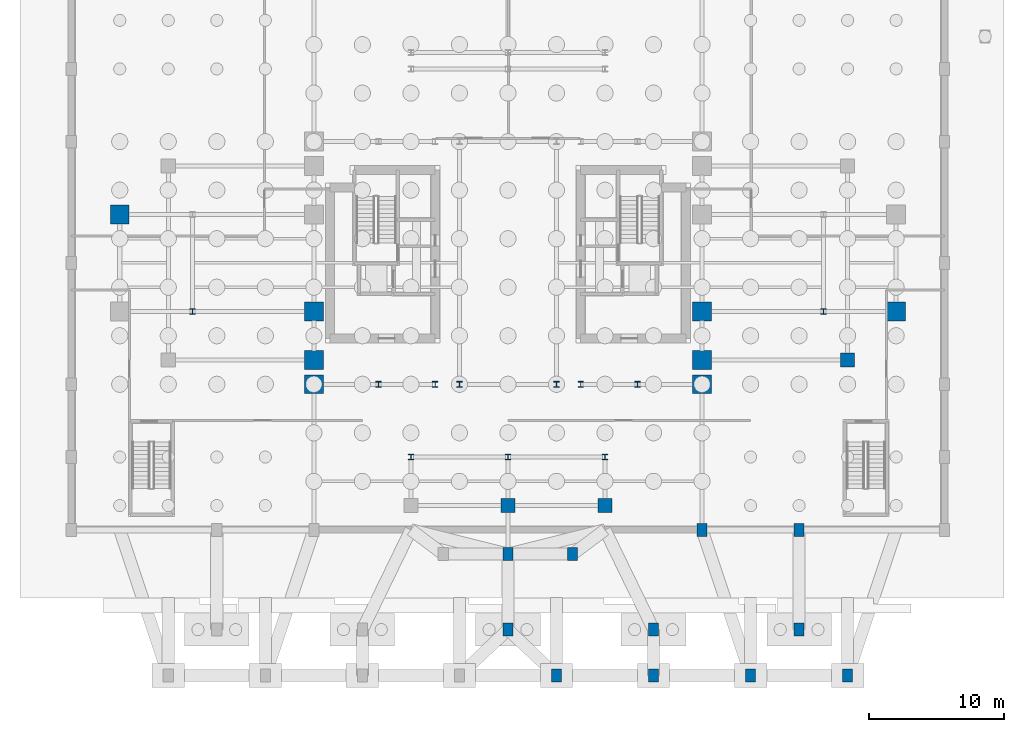
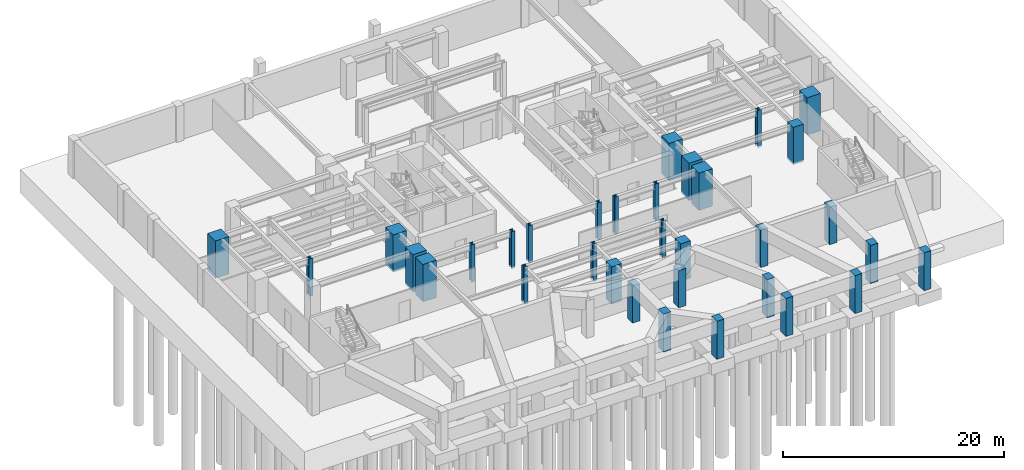
# One storey, part 3 of 13: 33 columns.
"""IFC4 building model written with IfcOpenShell, lengths in metres."""

from ifc_helpers import new_model, si_unit, direction, frame, origin, origin_2d, place, context, subcontext, project, spatial, rectangle, i_section, extrude, source, transform, mapped, material, material_profile, profile_set, type_object, element, save


model = new_model("IFC4")

# Units and contexts
model_context = context("Model", 3, precision=1e-05, world=origin(), true_north=direction((0.0, 1.0)))
body_context = subcontext(model_context, "Body", "Model", "MODEL_VIEW")
ifc_project = project(units=[si_unit("LENGTHUNIT", "METRE"), si_unit("AREAUNIT", "SQUARE_METRE"), si_unit("VOLUMEUNIT", "CUBIC_METRE"), si_unit("PLANEANGLEUNIT", "RADIAN"), si_unit("MASSUNIT", "GRAM", prefix="KILO")], contexts=[model_context])

# Site, building, storey
site_placement = place(None, origin())
site = spatial("IfcSite", under=ifc_project, at=site_placement, CompositionType="ELEMENT")
building_placement = place(site_placement, origin())
building = spatial("IfcBuilding", under=site, at=building_placement, Name="Keilestroom Media Tower", CompositionType="ELEMENT")
storey_placement = place(building_placement, frame((0.0, 0.0, -8.39990234375)))
storey = spatial("IfcBuildingStorey", under=building, at=storey_placement, Name="B2", CompositionType="ELEMENT", Elevation=-8.39990234375)

# Columns
ifc_material_1 = material(Name="Precast concrete C40/50", Category="concrete")
ifc_material_profile_1 = material_profile(ifc_material_1, rectangle(XDim=0.75, YDim=0.949951171875, at=origin_2d()), Name="PC 950x750")
ifc_profile_set_1 = profile_set([ifc_material_profile_1], Name="Precast concrete C40/50")
column_type_1 = type_object("IfcColumnType", Name="Structural-Column-PC-950x750", PredefinedType="COLUMN", material=ifc_profile_set_1)
shared_shape_1 = source(origin(), body_context, "Body", "SweptSolid", [
    extrude(rectangle(XDim=0.75, YDim=0.949951171875, at=origin_2d()), origin(), (0.0, 0.0, 1.0), 4.1201171875),
])
for number, where, z_axis, x_axis, name in (
    (1, (0.0, -21.60009765625, -0.2001953125), (0.0, 0.0, 1.0), (1.0, 0.0, 0.0), "B2 Column PC-1 (+0.0,-21.6)"),
    (2, (4.800048828125, -21.60009765625, -0.2001953125), (0.0, 0.0, 1.0), (1.0, 0.0, 0.0), "B2 Column PC-1 (+4.8,-21.6)"),
    (3, (14.39990234375, -19.800048828125, -0.2001953125), (0.0, 0.0, 1.0), (1.0, 0.0, 0.0), "B2 Column PC-1 (+14.4,-19.8)"),
    (4, (21.60009765625, -19.800048828125, -0.2001953125), (0.0, 0.0, 1.0), (1.0, 0.0, 0.0), "B2 Column PC-1 (+21.6,-19.8)"),
):
    element("IfcColumn", number, at=place(storey_placement, frame(where, z_axis=z_axis, x_axis=x_axis)), inside=storey, type_object=column_type_1, Name=name, PredefinedType="COLUMN", context=body_context, shape_type="MappedRepresentation", body=[
        mapped(shared_shape_1, transform((0.0, 0.0, 0.0), x_axis=(1.0, 0.0, 0.0), y_axis=(0.0, 1.0, 0.0), z_axis=(0.0, 0.0, 1.0), scale=1.0)),
    ])
ifc_material_2 = material(Name="Concrete C70/85", Category="concrete")
ifc_material_profile_2 = material_profile(ifc_material_2, rectangle(XDim=1.39990234375, YDim=1.39990234375, at=origin_2d()), Name="RC 1400x1400")
ifc_profile_set_2 = profile_set([ifc_material_profile_2], Name="Concrete C70/85")
column_type_2 = type_object("IfcColumnType", Name="Structural-Column-RC-1400x1400", PredefinedType="COLUMN", material=ifc_profile_set_2)
shared_shape_2 = source(origin(), body_context, "Body", "SweptSolid", [
    extrude(rectangle(XDim=1.39990234375, YDim=1.39990234375, at=origin_2d()), origin(), (0.0, 0.0, 1.0), 4.1201171875),
])
for number, where, z_axis, x_axis, name in (
    (5, (-28.800048828125, 3.60009765625, -0.2001953125), (0.0, 0.0, 1.0), (1.0, 0.0, 0.0), "B2 Column MC-1 (-28.8,+3.6)"),
    (6, (-14.39990234375, -9.0, -0.2001953125), (0.0, 0.0, 1.0), (1.0, 0.0, 0.0), "B2 Column MC-1 (-14.4,-9.0)"),
    (7, (-14.39990234375, -7.199951171875, -0.2001953125), (0.0, 0.0, 1.0), (1.0, 0.0, 0.0), "B2 Column MC-1 (-14.4,-7.2)"),
    (8, (-14.39990234375, -3.60009765625, -0.2001953125), (0.0, 0.0, 1.0), (1.0, 0.0, 0.0), "B2 Column MC-1 (-14.4,-3.6)"),
    (9, (14.39990234375, -9.0, -0.2001953125), (0.0, 0.0, 1.0), (1.0, 0.0, 0.0), "B2 Column MC-1 (+14.4,-9.0)"),
    (10, (14.39990234375, -7.199951171875, -0.2001953125), (0.0, 0.0, 1.0), (1.0, 0.0, 0.0), "B2 Column MC-1 (+14.4,-7.2)"),
    (11, (14.39990234375, -3.60009765625, -0.2001953125), (0.0, 0.0, 1.0), (1.0, 0.0, 0.0), "B2 Column MC-1 (+14.4,-3.6)"),
    (12, (28.800048828125, -3.60009765625, -0.2001953125), (0.0, 0.0, 1.0), (1.0, 0.0, 0.0), "B2 Column MC-1 (+28.8,-3.6)"),
):
    element("IfcColumn", number, at=place(storey_placement, frame(where, z_axis=z_axis, x_axis=x_axis)), inside=storey, type_object=column_type_2, Name=name, PredefinedType="COLUMN", context=body_context, shape_type="MappedRepresentation", body=[
        mapped(shared_shape_2, transform((0.0, 0.0, 0.0), x_axis=(1.0, 0.0, 0.0), y_axis=(0.0, 1.0, 0.0), z_axis=(0.0, 0.0, 1.0), scale=1.0)),
    ])
shared_shape_3 = source(origin(), body_context, "Body", "SweptSolid", [
    extrude(rectangle(XDim=0.75, YDim=0.949951171875, at=origin_2d()), origin(), (0.0, 0.0, 1.0), 4.199951171875),
])
for number, where, z_axis, x_axis, name in (
    (13, (0.0, -27.199951171875, 0.0), (0.0, 0.0, 1.0), (1.0, 0.0, 0.0), "B2 Column PC-1 (+0.0,-27.2)"),
    (14, (3.60009765625, -30.60009765625, 0.0), (0.0, 0.0, 1.0), (1.0, 0.0, 0.0), "B2 Column PC-1 (+3.6,-30.6)"),
    (15, (10.800048828125, -30.60009765625, 0.0), (0.0, 0.0, 1.0), (1.0, 0.0, 0.0), "B2 Column PC-1 (+10.8,-30.6)"),
    (16, (10.800048828125, -27.199951171875, 0.0), (0.0, 0.0, 1.0), (1.0, 0.0, 0.0), "B2 Column PC-1 (+10.8,-27.2)"),
    (17, (18.0, -30.60009765625, 0.0), (0.0, 0.0, 1.0), (1.0, 0.0, 0.0), "B2 Column PC-1 (+18.0,-30.6)"),
    (18, (21.60009765625, -27.199951171875, 0.0), (0.0, 0.0, 1.0), (1.0, 0.0, 0.0), "B2 Column PC-1 (+21.6,-27.2)"),
    (19, (25.199951171875, -30.60009765625, 0.0), (0.0, 0.0, 1.0), (1.0, 0.0, 0.0), "B2 Column PC-1 (+25.2,-30.6)"),
):
    element("IfcColumn", number, at=place(storey_placement, frame(where, z_axis=z_axis, x_axis=x_axis)), inside=storey, type_object=column_type_1, Name=name, PredefinedType="COLUMN", context=body_context, shape_type="MappedRepresentation", body=[
        mapped(shared_shape_3, transform((0.0, 0.0, 0.0), x_axis=(1.0, 0.0, 0.0), y_axis=(0.0, 1.0, 0.0), z_axis=(0.0, 0.0, 1.0), scale=1.0)),
    ])
ifc_material_3 = material(Name="Concrete C55/67", Category="concrete")
ifc_material_profile_3 = material_profile(ifc_material_3, rectangle(XDim=1.050048828125, YDim=1.050048828125, at=origin_2d()), Name="RC 1050x1050")
ifc_profile_set_3 = profile_set([ifc_material_profile_3], Name="Concrete C55/67")
column_type_3 = type_object("IfcColumnType", Name="Structural-Column-RC-1050x1050", PredefinedType="COLUMN", material=ifc_profile_set_3)
shared_shape_4 = source(origin(), body_context, "Body", "SweptSolid", [
    extrude(rectangle(XDim=1.050048828125, YDim=1.050048828125, at=origin_2d()), origin(), (0.0, 0.0, 1.0), 4.1201171875),
])
for number, where, z_axis, x_axis, name in (
    (20, (0.0, -18.0, -0.2001953125), (0.0, 0.0, 1.0), (1.0, 0.0, 0.0), "B2 Column MC-3 (+0.0,-18.0)"),
    (21, (7.199951171875, -18.0, -0.2001953125), (0.0, 0.0, 1.0), (1.0, 0.0, 0.0), "B2 Column MC-3 (+7.2,-18.0)"),
    (22, (25.199951171875, -7.199951171875, -0.2001953125), (0.0, 0.0, 1.0), (1.0, 0.0, 0.0), "B2 Column MC-3 (+25.2,-7.2)"),
):
    element("IfcColumn", number, at=place(storey_placement, frame(where, z_axis=z_axis, x_axis=x_axis)), inside=storey, type_object=column_type_3, Name=name, PredefinedType="COLUMN", context=body_context, shape_type="MappedRepresentation", body=[
        mapped(shared_shape_4, transform((0.0, 0.0, 0.0), x_axis=(1.0, 0.0, 0.0), y_axis=(0.0, 1.0, 0.0), z_axis=(0.0, 0.0, 1.0), scale=1.0)),
    ])
ifc_material_4 = material(Name="Steel S460", Category="steel")
ifc_material_profile_4 = material_profile(ifc_material_4, i_section(OverallWidth=0.406005859375, OverallDepth=0.416015625, WebThickness=0.02392578125, FlangeThickness=0.0390625, at=origin_2d()), Name="HD 400x382")
ifc_profile_set_4 = profile_set([ifc_material_profile_4], Name="Steel S460")
column_type_4 = type_object("IfcColumnType", Name="Structural-Column-HD-400x382", PredefinedType="COLUMN", material=ifc_profile_set_4)
shared_shape_5 = source(origin(), body_context, "Body", "SweptSolid", [
    extrude(i_section(OverallWidth=0.406005859375, OverallDepth=0.416015625, WebThickness=0.02392578125, FlangeThickness=0.0390625, at=origin_2d()), origin(), (0.0, 0.0, 1.0), 4.1201171875),
])
for number, where, z_axis, x_axis, name in (
    (23, (-23.39990234375, -3.60009765625, -0.2001953125), (0.0, 0.0, 1.0), (1.0, 0.0, 0.0), "B2 Column SC-1 (-23.4,-3.6)"),
    (24, (-9.60009765625, -9.0, -0.2001953125), (0.0, 0.0, 1.0), (1.0, 0.0, 0.0), "B2 Column SC-1 (-9.6,-9.0)"),
    (25, (-7.199951171875, -14.39990234375, -0.2001953125), (0.0, 0.0, 1.0), (1.0, 0.0, 0.0), "B2 Column SC-1 (-7.2,-14.4)"),
    (26, (-5.39990234375, -9.0, -0.2001953125), (0.0, 0.0, 1.0), (1.0, 0.0, 0.0), "B2 Column SC-1 (-5.4,-9.0)"),
    (27, (-3.60009765625, -9.0, -0.2001953125), (0.0, 0.0, 1.0), (1.0, 0.0, 0.0), "B2 Column SC-1 (-3.6,-9.0)"),
    (28, (0.0, -14.39990234375, -0.2001953125), (0.0, 0.0, 1.0), (1.0, 0.0, 0.0), "B2 Column SC-1 (+0.0,-14.4)"),
    (29, (3.60009765625, -9.0, -0.2001953125), (0.0, 0.0, 1.0), (1.0, 0.0, 0.0), "B2 Column SC-1 (+3.6,-9.0)"),
    (30, (5.39990234375, -9.0, -0.2001953125), (0.0, 0.0, 1.0), (1.0, 0.0, 0.0), "B2 Column SC-1 (+5.4,-9.0)"),
    (31, (7.199951171875, -14.39990234375, -0.2001953125), (0.0, 0.0, 1.0), (1.0, 0.0, 0.0), "B2 Column SC-1 (+7.2,-14.4)"),
    (32, (9.60009765625, -9.0, -0.2001953125), (0.0, 0.0, 1.0), (1.0, 0.0, 0.0), "B2 Column SC-1 (+9.6,-9.0)"),
    (33, (23.39990234375, -3.60009765625, -0.2001953125), (0.0, 0.0, 1.0), (1.0, 0.0, 0.0), "B2 Column SC-1 (+23.4,-3.6)"),
):
    element("IfcColumn", number, at=place(storey_placement, frame(where, z_axis=z_axis, x_axis=x_axis)), inside=storey, type_object=column_type_4, Name=name, PredefinedType="COLUMN", context=body_context, shape_type="MappedRepresentation", body=[
        mapped(shared_shape_5, transform((0.0, 0.0, 0.0), x_axis=(1.0, 0.0, 0.0), y_axis=(0.0, 1.0, 0.0), z_axis=(0.0, 0.0, 1.0), scale=1.0)),
    ])

save(model, "model.ifc")
